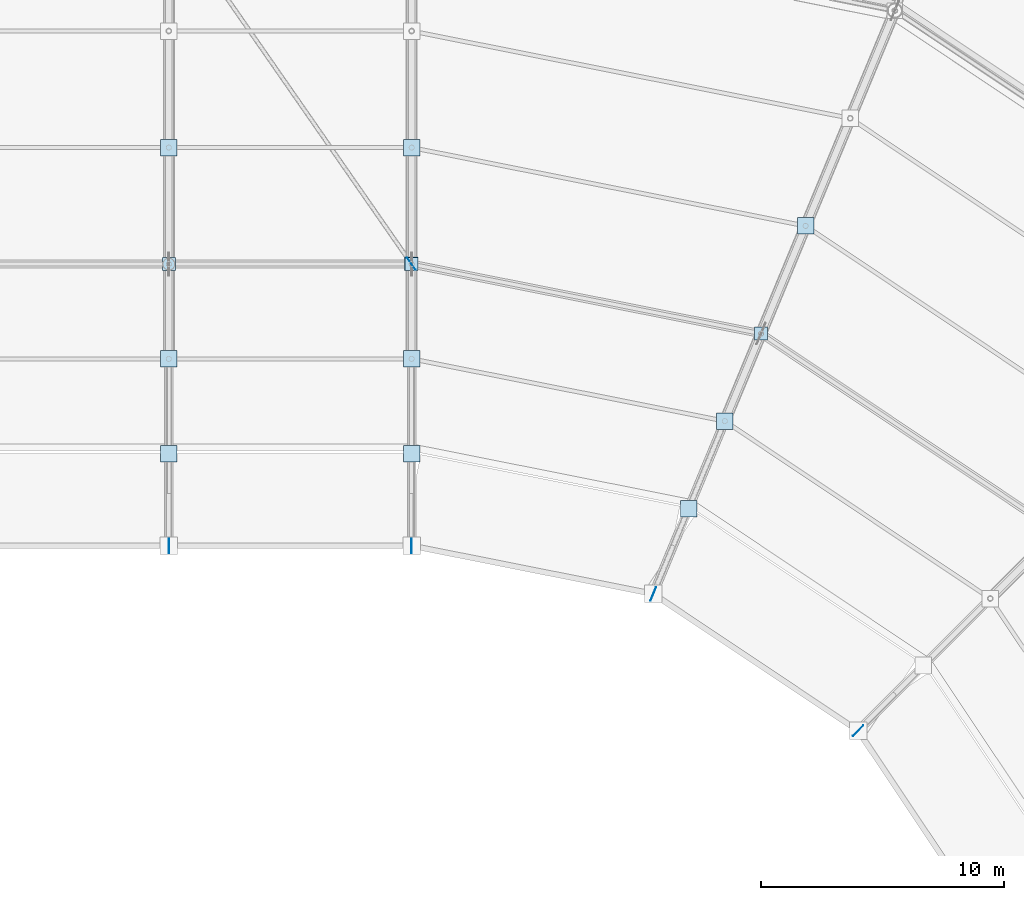
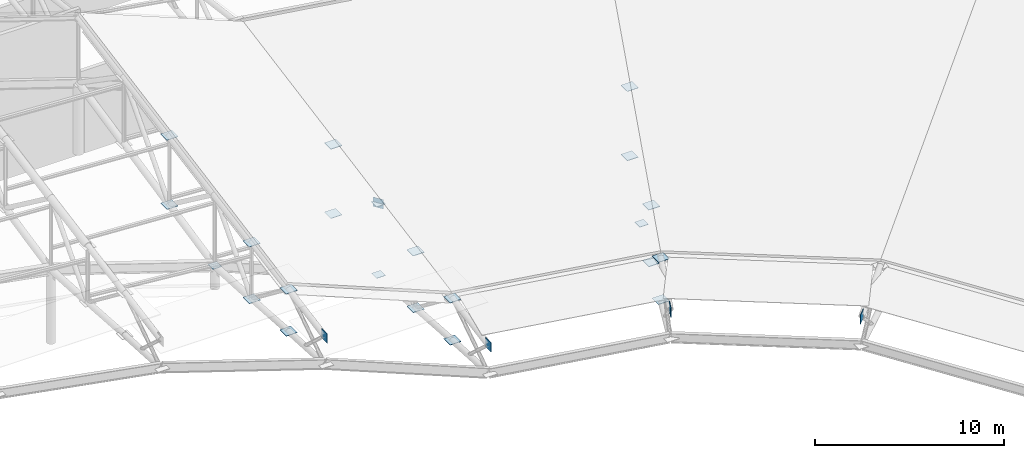
# One storey, part 140 of 146: 27 plates.
"""IFC4 building model written with IfcOpenShell, lengths in metres."""

import ifcopenshell
import ifcopenshell.guid

model = None  # the IFC model being written
_history = None  # IfcOwnerHistory: only IFC2X3 demands one
_inside = {}  # id of a spatial element -> (the spatial element, [elements in it])
_under = {}  # id of a project, library or spatial element -> (it, [spatial elements below it])
_declared = {}  # id of a project -> (the project, [libraries it declares])
_typed = {}  # id of a type object -> (the type object, [elements of that type])
_made_of = {}  # id of a material, layer set ... -> (it, [elements and type objects made of it])


def new_model(schema):
    """Start an empty IFC model of exactly this schema.

    Asked for "IFC4X3", IfcOpenShell would pick the latest addendum, in which some entities
    have other attributes; the version numbers below select the first issue.
    IFC2X3 requires an IfcOwnerHistory on every rooted entity: one is made here for all.
    """
    global model, _history
    if schema == "IFC4X3":
        model = ifcopenshell.file(schema_version=(4, 3, 0, 0))
    else:
        model = ifcopenshell.file(schema=schema)
    _inside.clear()
    _under.clear()
    _declared.clear()
    _typed.clear()
    _made_of.clear()
    _history = None
    if model.schema == "IFC2X3":
        org = make("IfcOrganization", Name="unknown")
        user = make(
            "IfcPersonAndOrganization",
            ThePerson=make("IfcPerson", FamilyName="unknown"),
            TheOrganization=org,
        )
        app = make(
            "IfcApplication",
            ApplicationDeveloper=org,
            Version="unknown",
            ApplicationFullName="unknown",
            ApplicationIdentifier="unknown",
        )
        _history = make(
            "IfcOwnerHistory",
            OwningUser=user,
            OwningApplication=app,
            ChangeAction="ADDED",
            CreationDate=0,
        )
    return model


def make(cls, **values):
    """One entity of the class cls with the attributes given. An attribute that is None is left unset."""
    return model.create_entity(
        cls, **{name: value for name, value in values.items() if value is not None}
    )


def rooted(cls, **values):
    """An entity with a GlobalId (a new one), such as an element, a storey or a relation."""
    return make(cls, GlobalId=ifcopenshell.guid.new(), OwnerHistory=_history, **values)


def si_unit(unit_type, name, prefix=None):
    """IfcSIUnit, for example si_unit("LENGTHUNIT", "METRE", prefix="MILLI")."""
    return make("IfcSIUnit", UnitType=unit_type, Prefix=prefix, Name=name)


def assignment(units):
    """IfcUnitAssignment: the units of a project."""
    return None if units is None else make("IfcUnitAssignment", Units=units)


def point(xyz):
    """IfcCartesianPoint."""
    return None if xyz is None else make("IfcCartesianPoint", Coordinates=xyz)


def direction(xyz):
    """IfcDirection."""
    return None if xyz is None else make("IfcDirection", DirectionRatios=xyz)


def frame(location, z_axis=None, x_axis=None):
    """IfcAxis2Placement3D, a coordinate frame: its origin and axes. An axis left out is left unset."""
    return make(
        "IfcAxis2Placement3D",
        Location=point(location),
        Axis=direction(z_axis),
        RefDirection=direction(x_axis),
    )


def frame_2d(location, x_axis=None):
    """IfcAxis2Placement2D, a coordinate frame in the plane: its origin and x axis."""
    return make(
        "IfcAxis2Placement2D", Location=point(location), RefDirection=direction(x_axis)
    )


def origin():
    """The frame at (0, 0, 0) with its axes left unset."""
    return frame((0.0, 0.0, 0.0))


def origin_2d():
    """The frame at (0, 0) in the plane with its x axis left unset."""
    return frame_2d((0.0, 0.0))


def place(relative_to, where):
    """IfcLocalPlacement: puts the frame where relative to a parent placement (None: the world)."""
    return make(
        "IfcLocalPlacement", PlacementRelTo=relative_to, RelativePlacement=where
    )


def context(
    kind, dimensions, precision=None, world=None, true_north=None, identifier=None
):
    """IfcGeometricRepresentationContext, for example the 3D "Model" context."""
    return make(
        "IfcGeometricRepresentationContext",
        ContextIdentifier=identifier,
        ContextType=kind,
        CoordinateSpaceDimension=dimensions,
        Precision=precision,
        WorldCoordinateSystem=world,
        TrueNorth=true_north,
    )


def subcontext(parent, identifier, kind, view, scale=None):
    """IfcGeometricRepresentationSubContext, for example "Body" below "Model"."""
    return make(
        "IfcGeometricRepresentationSubContext",
        ContextIdentifier=identifier,
        ContextType=kind,
        ParentContext=parent,
        TargetScale=scale,
        TargetView=view,
    )


def project(units=None, contexts=None):
    """IfcProject with its units and contexts."""
    return rooted(
        "IfcProject",
        Name="project",
        RepresentationContexts=contexts,
        UnitsInContext=assignment(units),
    )


def spatial(cls, under=None, at=None, **own):
    """A site, building, storey or space (cls), placed at a placement, below another one or the project."""
    s = rooted(cls, ObjectPlacement=at, **own)
    if under is not None:
        _under.setdefault(under.id(), (under, []))[1].append(s)
    return s


def profile(cls, at=None, kind="AREA", **sizes):
    """A parametric profile (cls). Its sizes go by their IFC names, for example OverallWidth=200.0."""
    return make(cls, ProfileType=kind, Position=at, **sizes)


def rectangle(**sizes):
    """IfcRectangleProfileDef."""
    return profile("IfcRectangleProfileDef", **sizes)


def extrude(swept, where, along, depth):
    """IfcExtrudedAreaSolid: the profile swept, set in the frame where, extruded along a direction by depth."""
    return make(
        "IfcExtrudedAreaSolid",
        SweptArea=swept,
        Position=where,
        ExtrudedDirection=direction(along),
        Depth=depth,
    )


def shape(context_of_items, identifier, shape_type, items):
    """IfcShapeRepresentation: the items that make up one representation, for example the "Body"."""
    return make(
        "IfcShapeRepresentation",
        ContextOfItems=context_of_items,
        RepresentationIdentifier=identifier,
        RepresentationType=shape_type,
        Items=items,
    )


def material(Name=None, Category=None):
    """IfcMaterial."""
    return make("IfcMaterial", Name=Name, Category=Category)


def layer(
    of_material, thickness, ventilated=None, Name=None, Category=None, Priority=None
):
    """IfcMaterialLayer: one layer of a wall or slab, of a material (None: an air gap)."""
    return make(
        "IfcMaterialLayer",
        Material=of_material,
        LayerThickness=thickness,
        IsVentilated=ventilated,
        Name=Name,
        Category=Category,
        Priority=Priority,
    )


def layer_set(layers, Name=None):
    """IfcMaterialLayerSet."""
    return make("IfcMaterialLayerSet", MaterialLayers=layers, LayerSetName=Name)


def made_of(thing, what):
    """Note that an element or type object is made of a material, layer set ...; save() writes the relation."""
    if what is not None:
        _made_of.setdefault(what.id(), (what, []))[1].append(thing)
    return thing


def type_object(cls, material=None, **own):
    """A type object (cls), such as IfcWallType, which elements share."""
    return made_of(rooted(cls, **own), material)


def element(
    cls,
    number,
    at=None,
    inside=None,
    cuts=None,
    type_object=None,
    material=None,
    context=None,
    identifier="Body",
    shape_type=None,
    held_by="IfcProductDefinitionShape",
    body=None,
    shapes=None,
    **own,
):
    """One element of the class cls, such as IfcWall. Its Tag is "e" and its number.

    at: its placement. inside: the storey or other place that contains it. cuts: it is an
    opening in that element (IfcRelVoidsElement). A single representation is given by context,
    identifier, shape_type and body (its items); several are given by shapes. held_by: the class
    of the entity that holds the representations. save() writes the other relations.
    """
    e = rooted(cls, Tag="e%d" % number, ObjectPlacement=at, **own)
    if body is not None:
        shapes = [shape(context, identifier, shape_type, body)]
    if shapes is not None:
        e.Representation = make(held_by, Representations=shapes)
    if inside is not None:
        _inside.setdefault(inside.id(), (inside, []))[1].append(e)
    if cuts is not None:
        rooted(
            "IfcRelVoidsElement", RelatingBuildingElement=cuts, RelatedOpeningElement=e
        )
    if type_object is not None:
        _typed.setdefault(type_object.id(), (type_object, []))[1].append(e)
    return made_of(e, material)


def aggregate(whole, parts):
    """IfcRelAggregates: a whole, such as a stair, and the parts it consists of."""
    return rooted("IfcRelAggregates", RelatingObject=whole, RelatedObjects=parts)


def save(model, path):
    """Write the relations noted so far, then the file.

    IfcRelAggregates (storeys below a building ...), IfcRelContainedInSpatialStructure (elements
    in a storey), IfcRelDefinesByType, IfcRelAssociatesMaterial and IfcRelDeclares: one each for
    every whole, place, type object, material and project.
    """
    for whole, parts in _under.values():
        aggregate(whole, parts)
    for where, things in _inside.values():
        rooted(
            "IfcRelContainedInSpatialStructure",
            RelatedElements=things,
            RelatingStructure=where,
        )
    for kind, things in _typed.values():
        rooted("IfcRelDefinesByType", RelatedObjects=things, RelatingType=kind)
    for what, things in _made_of.values():
        rooted("IfcRelAssociatesMaterial", RelatedObjects=things, RelatingMaterial=what)
    for by, libraries in _declared.values():
        rooted("IfcRelDeclares", RelatingContext=by, RelatedDefinitions=libraries)
    model.write(path)


model = new_model("IFC4")

# Units and contexts
model_context = context("Model", 3, precision=1e-05, world=origin(), true_north=direction((0.0, 1.0)))
body_context = subcontext(model_context, "Body", "Model", "MODEL_VIEW")
ifc_project = project(units=[si_unit("LENGTHUNIT", "METRE"), si_unit("AREAUNIT", "SQUARE_METRE"), si_unit("VOLUMEUNIT", "CUBIC_METRE"), si_unit("PLANEANGLEUNIT", "RADIAN"), si_unit("MASSUNIT", "GRAM", prefix="KILO")], contexts=[model_context])

# Site, building, storey
site_placement = place(None, origin())
site = spatial("IfcSite", under=ifc_project, at=site_placement, CompositionType="ELEMENT")
building_placement = place(site_placement, origin())
building = spatial("IfcBuilding", under=site, at=building_placement, Name="Candeia Ridge Stadium", CompositionType="ELEMENT")
storey_placement = place(building_placement, frame((0.0, 0.0, 31.800048828125)))
storey = spatial("IfcBuildingStorey", under=building, at=storey_placement, Name="RF", CompositionType="ELEMENT", Elevation=31.800048828125)

# Plates
ifc_material = material(Name="Steel ASTM A572 Grade 50", Category="steel")
ifc_layer_1 = layer(ifc_material, 0.02490234375, Name="Steel ASTM A572 Grade 50", Category="steel")
ifc_layer_set_1 = layer_set([ifc_layer_1], Name="Steel ASTM A572 Grade 50")
plate_type_1 = type_object("IfcPlateType", Name="Hollow Section End Closure Plate CP1", PredefinedType="SHEET", material=ifc_layer_set_1)
for number, where, z_axis, x_axis, name in (
    (1, (141.0, 132.60009765625, -2.676513671875), (0.0, 0.0, 1.0), (1.0, 0.0, 0.0), "Hollow section end closure plate MCAP-T-BC-MD-00"),
    (2, (131.0, 132.60009765625, 1.402099609375), (0.0, 0.0, 1.0), (1.0, 0.0, 0.0), "Hollow section end closure plate MCAP-T-BC-MD-01"),
    (3, (155.388916015625, 129.73779296875, -2.676513671875), (0.0, 0.0, 1.0), (1.0, 0.0, 0.0), "Hollow section end closure plate MCAP-T-BC-MD-35"),
):
    element("IfcPlate", number, at=place(storey_placement, frame(where, z_axis=z_axis, x_axis=x_axis)), inside=storey, type_object=plate_type_1, Name=name, PredefinedType="SHEET", context=body_context, shape_type="SweptSolid", body=[
        extrude(rectangle(XDim=0.5400390625, YDim=0.5400390625, at=origin_2d()), origin(), (0.0, 0.0, 1.0), 0.02490234375),
    ])
ifc_layer_2 = layer(ifc_material, 0.02490234375, Name="Steel ASTM A572 Grade 50", Category="steel")
ifc_layer_set_2 = layer_set([ifc_layer_2], Name="Steel ASTM A572 Grade 50")
plate_type_2 = type_object("IfcPlateType", Name="Hollow Section End Closure Plate CP3", PredefinedType="SHEET", material=ifc_layer_set_2)
for number, where, z_axis, x_axis, name in (
    (4, (141.0, 124.800048828125, 0.530517578125), (0.0, 0.0, 1.0), (1.0, 0.0, 0.0), "Hollow section end closure plate NCAP-T-00-1"),
    (5, (141.0, 124.800048828125, -2.186767578125), (0.0, 0.0, 1.0), (1.0, 0.0, 0.0), "Hollow section end closure plate NCAP-B-00-1"),
    (6, (141.0, 128.699951171875, 1.201904296875), (0.0, 0.0, 1.0), (1.0, 0.0, 0.0), "Hollow section end closure plate NCAP-T-00-2"),
    (7, (141.0, 128.699951171875, -2.45654296875), (0.0, 0.0, 1.0), (1.0, 0.0, 0.0), "Hollow section end closure plate NCAP-B-00-2"),
    (8, (141.0, 137.39990234375, 2.8115234375), (0.0, 0.0, 1.0), (1.0, 0.0, 0.0), "Hollow section end closure plate NCAP-T-00-4"),
    (9, (141.0, 137.39990234375, -1.6552734375), (0.0, 0.0, 1.0), (1.0, 0.0, 0.0), "Hollow section end closure plate NCAP-B-00-4"),
):
    element("IfcPlate", number, at=place(storey_placement, frame(where, z_axis=z_axis, x_axis=x_axis)), inside=storey, type_object=plate_type_2, Name=name, PredefinedType="SHEET", context=body_context, shape_type="SweptSolid", body=[
        extrude(rectangle(XDim=0.679931640625, YDim=0.679931640625, at=origin_2d()), origin(), (0.0, 0.0, 1.0), 0.02490234375),
    ])
plate_placement = place(storey_placement, frame((140.9892578125, 132.615234375, 1.9306640625), z_axis=(0.0, 0.0, 1.0), x_axis=(1.0, 0.0, 0.0)))
element("IfcPlate", 10, at=plate_placement, inside=storey, type_object=plate_type_2, Name="Hollow section end closure plate WBCAP-A-00", PredefinedType="SHEET", context=body_context, shape_type="SweptSolid", body=[
    extrude(rectangle(XDim=0.550048828125, YDim=0.550048828125, at=origin_2d()), origin(), (0.0, 0.0, 1.0), 0.02490234375),
])
for number, where, z_axis, x_axis, name in (
    (11, (131.0, 124.800048828125, 4.60888671875), (0.0, 0.0, 1.0), (1.0, 0.0, 0.0), "Hollow section end closure plate NCAP-T-01-1"),
    (12, (131.0, 124.800048828125, 1.891845703125), (0.0, 0.0, 1.0), (1.0, 0.0, 0.0), "Hollow section end closure plate NCAP-B-01-1"),
    (13, (131.0, 128.699951171875, 5.280517578125), (0.0, 0.0, 1.0), (1.0, 0.0, 0.0), "Hollow section end closure plate NCAP-T-01-2"),
    (14, (131.0, 128.699951171875, 1.621826171875), (0.0, 0.0, 1.0), (1.0, 0.0, 0.0), "Hollow section end closure plate NCAP-B-01-2"),
    (15, (131.0, 137.39990234375, 6.889892578125), (0.0, 0.0, 1.0), (1.0, 0.0, 0.0), "Hollow section end closure plate NCAP-T-01-4"),
    (16, (131.0, 137.39990234375, 2.42333984375), (0.0, 0.0, 1.0), (1.0, 0.0, 0.0), "Hollow section end closure plate NCAP-B-01-4"),
    (17, (152.404052734375, 122.531494140625, 0.530517578125), (0.0, 0.0, 1.0), (1.0, 0.0, 0.0), "Hollow section end closure plate NCAP-T-35-1"),
    (18, (152.404052734375, 122.531494140625, -2.186767578125), (0.0, 0.0, 1.0), (1.0, 0.0, 0.0), "Hollow section end closure plate NCAP-B-35-1"),
    (19, (153.896484375, 126.134765625, 1.201904296875), (0.0, 0.0, 1.0), (1.0, 0.0, 0.0), "Hollow section end closure plate NCAP-T-35-2"),
    (20, (153.896484375, 126.134765625, -2.45654296875), (0.0, 0.0, 1.0), (1.0, 0.0, 0.0), "Hollow section end closure plate NCAP-B-35-2"),
    (21, (157.225830078125, 134.172607421875, 2.8115234375), (0.0, 0.0, 1.0), (1.0, 0.0, 0.0), "Hollow section end closure plate NCAP-T-35-4"),
    (22, (157.225830078125, 134.172607421875, -1.6552734375), (0.0, 0.0, 1.0), (1.0, 0.0, 0.0), "Hollow section end closure plate NCAP-B-35-4"),
):
    element("IfcPlate", number, at=place(storey_placement, frame(where, z_axis=z_axis, x_axis=x_axis)), inside=storey, type_object=plate_type_2, Name=name, PredefinedType="SHEET", context=body_context, shape_type="SweptSolid", body=[
        extrude(rectangle(XDim=0.679931640625, YDim=0.679931640625, at=origin_2d()), origin(), (0.0, 0.0, 1.0), 0.02490234375),
    ])
ifc_layer_3 = layer(ifc_material, 0.02392578125, Name="Steel ASTM A572 Grade 50", Category="steel")
ifc_layer_set_3 = layer_set([ifc_layer_3], Name="Steel ASTM A572 Grade 50")
plate_type_3 = type_object("IfcPlateType", Name="Roof Truss Chord-Web Node Gusset ND-3", PredefinedType="USERDEFINED", material=ifc_layer_set_3)
for number, where, z_axis, x_axis, name in (
    (23, (141.0, 121.0, -0.460205078125), (0.0, 0.0, 1.0), (0.0, 1.0, 0.0), "Roof truss tip gusset node ND-3 bay 01"),
    (24, (140.9892578125, 132.615234375, 1.64306640625), (0.0, 0.0, 1.0), (-0.570395359839, 0.821370277934, 0.0), "Roof wind brace end gusset A bay 01"),
    (25, (131.0, 121.0, 3.618408203125), (0.0, 0.0, 1.0), (0.0, 1.0, 0.0), "Roof truss tip gusset node ND-3 bay 02"),
    (26, (159.384765625, 113.384765625, -0.460205078125), (0.0, 0.0, 1.0), (0.707106781187, 0.707106781187, 0.0), "Roof truss tip gusset node ND-3 bay 35"),
    (27, (150.94970703125, 119.020751953125, -0.460205078125), (0.0, 0.0, 1.0), (0.382683433413, 0.923879532077, 0.0), "Roof truss tip gusset node ND-3 bay 36"),
):
    element("IfcPlate", number, at=place(storey_placement, frame(where, z_axis=z_axis, x_axis=x_axis)), inside=storey, type_object=plate_type_3, Name=name, ObjectType="GUSSET PLATE", PredefinedType="USERDEFINED", context=body_context, shape_type="SweptSolid", body=[
        extrude(rectangle(XDim=0.60009765625, YDim=0.02392578125, at=origin_2d()), origin(), (0.0, 0.0, 1.0), 0.60009765625),
    ])

save(model, "model.ifc")
